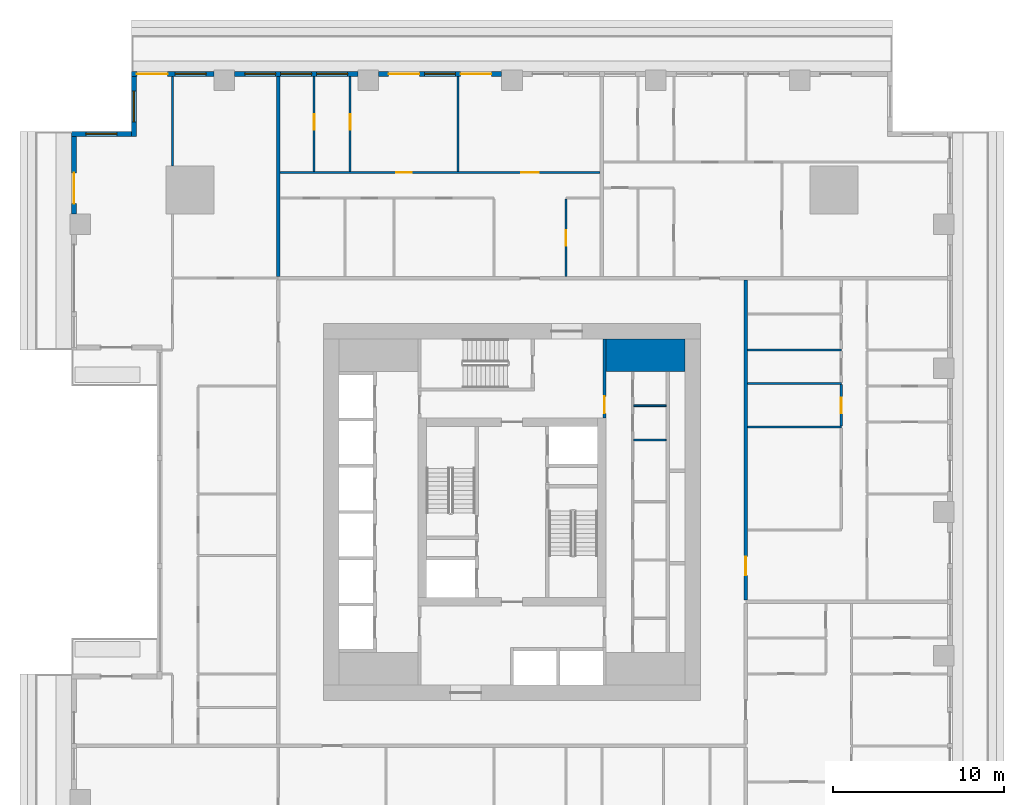
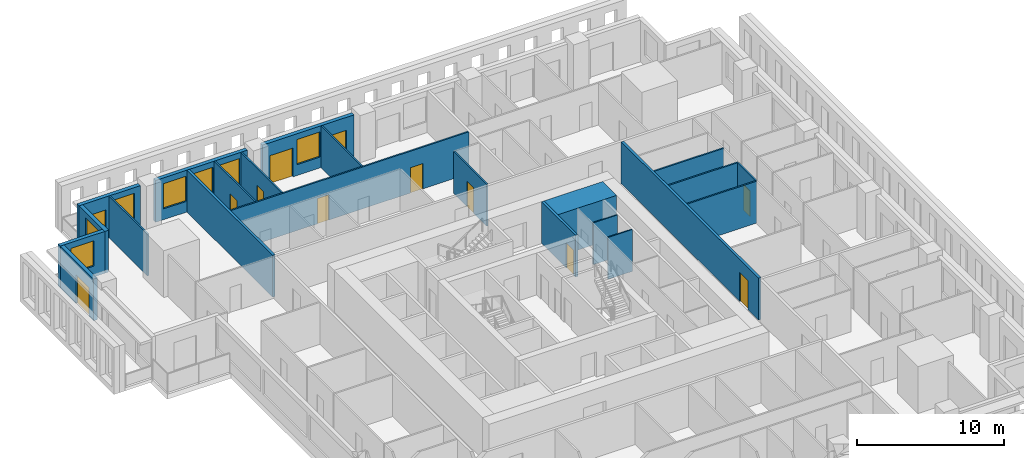
# One storey, part 7 of 14: 22 walls, 12 doors, 7 windows, 19 openings.
"""IFC4 building model written with IfcOpenShell, lengths in metres."""

from ifc_helpers import new_model, si_unit, direction, frame, frame_2d, origin, place, context, subcontext, project, spatial, rectangle, extrude, material, layer, layer_set, type_object, element, fill, save


model = new_model("IFC4")

# Units and contexts
model_context = context("Model", 3, precision=1e-05, world=origin(), true_north=direction((0.0, 1.0)))
body_context = subcontext(model_context, "Body", "Model", "MODEL_VIEW")
ifc_project = project(units=[si_unit("LENGTHUNIT", "METRE"), si_unit("AREAUNIT", "SQUARE_METRE"), si_unit("VOLUMEUNIT", "CUBIC_METRE"), si_unit("PLANEANGLEUNIT", "RADIAN"), si_unit("MASSUNIT", "GRAM", prefix="KILO")], contexts=[model_context])

# Site, building, storey
site_placement = place(None, origin())
site = spatial("IfcSite", under=ifc_project, at=site_placement, CompositionType="ELEMENT")
building_placement = place(site_placement, origin())
building = spatial("IfcBuilding", under=site, at=building_placement, Name="Khepri Terraces", CompositionType="ELEMENT")
storey_placement = place(building_placement, frame((0.0, 0.0, 102.60009765625)))
storey = spatial("IfcBuildingStorey", under=building, at=storey_placement, Name="L24", CompositionType="ELEMENT", Elevation=102.60009765625)

# Walls
ifc_material_1 = material(Name="Concrete C70/85", Category="concrete")
ifc_layer_1 = layer(ifc_material_1, 1.89990234375, Name="Concrete C70/85", Category="concrete")
ifc_layer_set_1 = layer_set([ifc_layer_1], Name="Concrete C70/85")
wall_type_1 = type_object("IfcWallType", Name="Core wall 1900 C70/85", PredefinedType="SHEAR", material=ifc_layer_set_1)
wall_1_placement = place(storey_placement, frame((5.5, 9.14990234375, 0.0), z_axis=(0.0, 0.0, 1.0), x_axis=(1.0, 0.0, 0.0)))
element("IfcWall", 1, at=wall_1_placement, inside=storey, type_object=wall_type_1, Name="Core wall PR04 L24", PredefinedType="SHEAR", context=body_context, shape_type="SweptSolid", body=[
    extrude(rectangle(XDim=4.60009765625, YDim=1.89990234375, at=frame_2d((2.300048828125, 0.0))), origin(), (0.0, 0.0, 1.0), 3.47998046875),
])
ifc_material_2 = material(Name="Fire-rated gypsum board partition")
ifc_layer_2 = layer(ifc_material_2, 0.10009765625, Name="Fire-rated gypsum board partition")
ifc_layer_set_2 = layer_set([ifc_layer_2], Name="Fire-rated gypsum board partition")
wall_type_2 = type_object("IfcWallType", Name="WL-CORE-PART-100", PredefinedType="PARTITIONING", material=ifc_layer_set_2)
for number, where, z_axis, x_axis, name in (
    (2, (7.10009765625, 4.199951171875, 0.0), (0.0, 0.0, 1.0), (1.0, 0.0, 0.0), "Core partition PT07 L24"),
    (3, (7.10009765625, 6.199951171875, 0.0), (0.0, 0.0, 1.0), (1.0, 0.0, 0.0), "Core partition PT10 L24"),
):
    element("IfcWall", number, at=place(storey_placement, frame(where, z_axis=z_axis, x_axis=x_axis)), inside=storey, type_object=wall_type_2, Name=name, PredefinedType="PARTITIONING", context=body_context, shape_type="SweptSolid", body=[
        extrude(rectangle(XDim=1.89990234375, YDim=0.10009765625, at=frame_2d((0.949951171875, 0.0))), origin(), (0.0, 0.0, 1.0), 3.47998046875),
    ])

# Wall, opening, door
ifc_layer_3 = layer(ifc_material_2, 0.199951171875, Name="Fire-rated gypsum board partition")
ifc_layer_set_3 = layer_set([ifc_layer_3], Name="Fire-rated gypsum board partition")
wall_type_3 = type_object("IfcWallType", Name="WL-CORE-PART-200", PredefinedType="PARTITIONING", material=ifc_layer_set_3)
wall_2_placement = place(storey_placement, frame((5.39990234375, 5.5, 0.0), z_axis=(0.0, 0.0, 1.0), x_axis=(0.0, 1.0, 0.0)))
wall_2 = element("IfcWall", 4, at=wall_2_placement, inside=storey, type_object=wall_type_3, Name="Core partition PT09 L24", PredefinedType="PARTITIONING", context=body_context, shape_type="SweptSolid", body=[
    extrude(rectangle(XDim=4.60009765625, YDim=0.199951171875, at=frame_2d((2.300048828125, 0.0))), origin(), (0.0, 0.0, 1.0), 3.47998046875),
])
opening_1_placement = place(wall_2_placement, frame((0.25, 0.0, 0.0)))
opening_1 = element("IfcOpeningElement", 5, at=opening_1_placement, cuts=wall_2, Name="Opening L24-C17", PredefinedType="OPENING", context=body_context, shape_type="SweptSolid", body=[
    extrude(rectangle(XDim=1.0, YDim=2.10009765625, at=frame_2d((0.5, 1.050048828125))), frame((0.0, 0.10986328125, 0.0), z_axis=(0.0, -1.0, 0.0), x_axis=(1.0, 0.0, 0.0)), (0.0, 0.0, 1.0), 0.219970703125),
])
ifc_material_3 = material(Name="Painted steel", Category="steel")
door_type_1 = type_object("IfcDoorType", Name="DR-CORE-LOBBY-1000", OperationType="NOTDEFINED", PredefinedType="DOOR", material=ifc_material_3)
door_1_placement = place(opening_1_placement, origin())
door_1 = element("IfcDoor", 6, at=door_1_placement, inside=storey, type_object=door_type_1, Name="Lobby door L24-C17", OperationType="SINGLE_SWING_LEFT", OverallHeight=2.10009765625, OverallWidth=1.0, PredefinedType="DOOR", context=body_context, shape_type="SweptSolid", body=[
    extrude(rectangle(XDim=1.0, YDim=2.10009765625, at=frame_2d((0.5, 1.050048828125))), frame((0.0, 0.02490234375, 0.0), z_axis=(0.0, -1.0, 0.0), x_axis=(1.0, 0.0, 0.0)), (0.0, 0.0, 1.0), 0.050048828125),
])
fill(opening_1, door_1)

ifc_material_4 = material(Name="Fire-rated gypsum plasterboard partition, mineral wool")
ifc_layer_4 = layer(ifc_material_4, 0.199951171875, Name="Fire-rated gypsum plasterboard partition, mineral wool")
ifc_layer_set_4 = layer_set([ifc_layer_4], Name="Fire-rated gypsum plasterboard partition, mineral wool")
wall_type_4 = type_object("IfcWallType", Name="WL-CORR-200", PredefinedType="PARTITIONING", material=ifc_layer_set_4)
wall_3_placement = place(storey_placement, frame((13.64990234375, -5.14990234375, 0.0), z_axis=(0.0, 0.0, 1.0), x_axis=(0.0, 1.0, 0.0)))
wall_3 = element("IfcWall", 7, at=wall_3_placement, inside=storey, type_object=wall_type_4, Name="Partition P-042 L24", PredefinedType="PARTITIONING", context=body_context, shape_type="SweptSolid", body=[
    extrude(rectangle(XDim=18.699951171875, YDim=0.199951171875, at=frame_2d((9.35009765625, 0.0))), origin(), (0.0, 0.0, 1.0), 3.47998046875),
])
opening_2_placement = place(wall_3_placement, frame((1.449951171875, 0.0, 0.0)))
opening_2 = element("IfcOpeningElement", 8, at=opening_2_placement, cuts=wall_3, Name="Opening D1", PredefinedType="OPENING", context=body_context, shape_type="SweptSolid", body=[
    extrude(rectangle(XDim=1.10009765625, YDim=2.39990234375, at=frame_2d((0.550048828125, 1.199951171875))), frame((0.0, 0.10986328125, 0.0), z_axis=(0.0, -1.0, 0.0), x_axis=(1.0, 0.0, 0.0)), (0.0, 0.0, 1.0), 0.219970703125),
])
ifc_material_5 = material(Name="Solid-core timber door leaf, flat entrance door", Category="wood")
door_type_2 = type_object("IfcDoorType", Name="DR-ENT-1100", OperationType="NOTDEFINED", PredefinedType="DOOR", material=ifc_material_5)
door_2_placement = place(opening_2_placement, frame((1.10009765625, 0.0, 0.0), z_axis=(0.0, 0.0, 1.0), x_axis=(-1.0, 0.0, 0.0)))
door_2 = element("IfcDoor", 9, at=door_2_placement, inside=storey, type_object=door_type_2, Name="Flat B2 entrance door", OperationType="SINGLE_SWING_RIGHT", OverallHeight=2.39990234375, OverallWidth=1.10009765625, PredefinedType="DOOR", context=body_context, shape_type="SweptSolid", body=[
    extrude(rectangle(XDim=1.10009765625, YDim=2.39990234375, at=frame_2d((0.550048828125, 1.199951171875))), frame((0.0, 0.02490234375, 0.0), z_axis=(0.0, -1.0, 0.0), x_axis=(1.0, 0.0, 0.0)), (0.0, 0.0, 1.0), 0.050048828125),
])
fill(opening_2, door_2)

# Wall
wall_4_placement = place(storey_placement, frame((-13.64990234375, 13.75, 0.0), z_axis=(0.0, 0.0, 1.0), x_axis=(0.0, 1.0, 0.0)))
element("IfcWall", 10, at=wall_4_placement, inside=storey, type_object=wall_type_4, Name="Partition P-072 L24", PredefinedType="PARTITIONING", context=body_context, shape_type="SweptSolid", body=[
    extrude(rectangle(XDim=11.669921875, YDim=0.199951171875, at=frame_2d((5.8349609375, 0.0))), origin(), (0.0, 0.0, 1.0), 3.47998046875),
])

# Wall, openings, doors, window
ifc_material_6 = material(Name="Precast concrete C50/60 warm stone", Category="masonry")
ifc_layer_5 = layer(ifc_material_6, 0.300048828125, Name="Precast concrete C50/60 warm stone", Category="masonry")
ifc_layer_set_5 = layer_set([ifc_layer_5], Name="Precast concrete C50/60 warm stone")
wall_type_5 = type_object("IfcWallType", Name="WL-EXT-PRECAST-300", PredefinedType="STANDARD", material=ifc_layer_set_5)
wall_5_placement = place(storey_placement, frame((-0.60009765625, 25.570068359375, 0.0), z_axis=(0.0, 0.0, 1.0), x_axis=(-1.0, 0.0, 0.0)))
wall_5 = element("IfcWall", 11, at=wall_5_placement, inside=storey, type_object=wall_type_5, Name="External wall L24 N", PredefinedType="STANDARD", context=body_context, shape_type="SweptSolid", body=[
    extrude(rectangle(XDim=7.199951171875, YDim=0.300048828125, at=frame_2d((3.60009765625, 0.0))), origin(), (0.0, 0.0, 1.0), 3.47998046875),
])
opening_3_placement = place(wall_5_placement, frame((0.60009765625, 0.0, 0.0)))
opening_3 = element("IfcOpeningElement", 12, at=opening_3_placement, cuts=wall_5, Name="Opening ED-L24-11", PredefinedType="OPENING", context=body_context, shape_type="SweptSolid", body=[
    extrude(rectangle(XDim=1.800048828125, YDim=2.39990234375, at=frame_2d((0.89990234375, 1.199951171875))), frame((0.0, 0.16015625, 0.0), z_axis=(0.0, -1.0, 0.0), x_axis=(1.0, 0.0, 0.0)), (0.0, 0.0, 1.0), 0.320068359375),
])
opening_4_placement = place(wall_5_placement, frame((2.699951171875, 0.0, 0.89990234375)))
opening_4 = element("IfcOpeningElement", 13, at=opening_4_placement, cuts=wall_5, Name="Opening W1", PredefinedType="OPENING", context=body_context, shape_type="SweptSolid", body=[
    extrude(rectangle(XDim=1.800048828125, YDim=2.10009765625, at=frame_2d((0.89990234375, 1.050048828125))), frame((0.0, 0.16015625, 0.0), z_axis=(0.0, -1.0, 0.0), x_axis=(1.0, 0.0, 0.0)), (0.0, 0.0, 1.0), 0.320068359375),
])
opening_5_placement = place(wall_5_placement, frame((4.800048828125, 0.0, 0.0)))
opening_5 = element("IfcOpeningElement", 14, at=opening_5_placement, cuts=wall_5, Name="Opening ED-L24-12", PredefinedType="OPENING", context=body_context, shape_type="SweptSolid", body=[
    extrude(rectangle(XDim=1.800048828125, YDim=2.39990234375, at=frame_2d((0.89990234375, 1.199951171875))), frame((0.0, 0.16015625, 0.0), z_axis=(0.0, -1.0, 0.0), x_axis=(1.0, 0.0, 0.0)), (0.0, 0.0, 1.0), 0.320068359375),
])
ifc_material_7 = material(Name="Anodised aluminium bronze glazed door", Category="aluminium")
door_type_3 = type_object("IfcDoorType", Name="DR-BAL-SLIDE-1800x2400", OperationType="NOTDEFINED", PredefinedType="DOOR", material=ifc_material_7)
door_3_placement = place(opening_3_placement, origin())
door_3 = element("IfcDoor", 15, at=door_3_placement, inside=storey, type_object=door_type_3, Name="Balcony door L24 N", OperationType="SLIDING_TO_LEFT", OverallHeight=2.39990234375, OverallWidth=1.800048828125, PredefinedType="DOOR", context=body_context, shape_type="SweptSolid", body=[
    extrude(rectangle(XDim=1.800048828125, YDim=2.39990234375, at=frame_2d((0.89990234375, 1.199951171875))), frame((0.0, 0.02490234375, 0.0), z_axis=(0.0, -1.0, 0.0), x_axis=(1.0, 0.0, 0.0)), (0.0, 0.0, 1.0), 0.050048828125),
])
fill(opening_3, door_3)
door_4_placement = place(opening_5_placement, origin())
door_4 = element("IfcDoor", 16, at=door_4_placement, inside=storey, type_object=door_type_3, Name="Balcony door L24 N", OperationType="SLIDING_TO_RIGHT", OverallHeight=2.39990234375, OverallWidth=1.800048828125, PredefinedType="DOOR", context=body_context, shape_type="SweptSolid", body=[
    extrude(rectangle(XDim=1.800048828125, YDim=2.39990234375, at=frame_2d((0.89990234375, 1.199951171875))), frame((0.0, 0.02490234375, 0.0), z_axis=(0.0, -1.0, 0.0), x_axis=(1.0, 0.0, 0.0)), (0.0, 0.0, 1.0), 0.050048828125),
])
fill(opening_5, door_4)
ifc_material_8 = material(Name="Clear glass", Category="glass")
window_type = type_object("IfcWindowType", Name="WIN-RES-1800x2100", PartitioningType="SINGLE_PANEL", PredefinedType="WINDOW", material=ifc_material_8)
window_1_placement = place(opening_4_placement, origin())
window_1 = element("IfcWindow", 17, at=window_1_placement, inside=storey, type_object=window_type, Name="Window L24 N", OverallHeight=2.10009765625, OverallWidth=1.800048828125, PartitioningType="SINGLE_PANEL", PredefinedType="WINDOW", context=body_context, shape_type="SweptSolid", body=[
    extrude(rectangle(XDim=1.800048828125, YDim=2.10009765625, at=frame_2d((0.89990234375, 1.050048828125))), frame((0.0, 0.030029296875, 0.0), z_axis=(0.0, -1.0, 0.0), x_axis=(1.0, 0.0, 0.0)), (0.0, 0.0, 1.0), 0.06005859375),
])
fill(opening_4, window_1)

# Wall, openings, windows
wall_6_placement = place(storey_placement, frame((-9.0, 25.570068359375, 0.0), z_axis=(0.0, 0.0, 1.0), x_axis=(-1.0, 0.0, 0.0)))
wall_6 = element("IfcWall", 18, at=wall_6_placement, inside=storey, type_object=wall_type_5, Name="External wall L24 N", PredefinedType="STANDARD", context=body_context, shape_type="SweptSolid", body=[
    extrude(rectangle(XDim=7.199951171875, YDim=0.300048828125, at=frame_2d((3.60009765625, 0.0))), origin(), (0.0, 0.0, 1.0), 3.47998046875),
])
opening_6_placement = place(wall_6_placement, frame((0.60009765625, 0.0, 0.89990234375)))
opening_6 = element("IfcOpeningElement", 19, at=opening_6_placement, cuts=wall_6, Name="Opening W1", PredefinedType="OPENING", context=body_context, shape_type="SweptSolid", body=[
    extrude(rectangle(XDim=1.800048828125, YDim=2.10009765625, at=frame_2d((0.89990234375, 1.050048828125))), frame((0.0, 0.16015625, 0.0), z_axis=(0.0, -1.0, 0.0), x_axis=(1.0, 0.0, 0.0)), (0.0, 0.0, 1.0), 0.320068359375),
])
opening_7_placement = place(wall_6_placement, frame((2.699951171875, 0.0, 0.89990234375)))
opening_7 = element("IfcOpeningElement", 20, at=opening_7_placement, cuts=wall_6, Name="Opening W1", PredefinedType="OPENING", context=body_context, shape_type="SweptSolid", body=[
    extrude(rectangle(XDim=1.800048828125, YDim=2.10009765625, at=frame_2d((0.89990234375, 1.050048828125))), frame((0.0, 0.16015625, 0.0), z_axis=(0.0, -1.0, 0.0), x_axis=(1.0, 0.0, 0.0)), (0.0, 0.0, 1.0), 0.320068359375),
])
opening_8_placement = place(wall_6_placement, frame((4.800048828125, 0.0, 0.89990234375)))
opening_8 = element("IfcOpeningElement", 21, at=opening_8_placement, cuts=wall_6, Name="Opening W1", PredefinedType="OPENING", context=body_context, shape_type="SweptSolid", body=[
    extrude(rectangle(XDim=1.800048828125, YDim=2.10009765625, at=frame_2d((0.89990234375, 1.050048828125))), frame((0.0, 0.16015625, 0.0), z_axis=(0.0, -1.0, 0.0), x_axis=(1.0, 0.0, 0.0)), (0.0, 0.0, 1.0), 0.320068359375),
])
window_2_placement = place(opening_6_placement, origin())
window_2 = element("IfcWindow", 22, at=window_2_placement, inside=storey, type_object=window_type, Name="Window L24 N", OverallHeight=2.10009765625, OverallWidth=1.800048828125, PartitioningType="SINGLE_PANEL", PredefinedType="WINDOW", context=body_context, shape_type="SweptSolid", body=[
    extrude(rectangle(XDim=1.800048828125, YDim=2.10009765625, at=frame_2d((0.89990234375, 1.050048828125))), frame((0.0, 0.030029296875, 0.0), z_axis=(0.0, -1.0, 0.0), x_axis=(1.0, 0.0, 0.0)), (0.0, 0.0, 1.0), 0.06005859375),
])
fill(opening_6, window_2)
window_3_placement = place(opening_7_placement, origin())
window_3 = element("IfcWindow", 23, at=window_3_placement, inside=storey, type_object=window_type, Name="Window L24 N", OverallHeight=2.10009765625, OverallWidth=1.800048828125, PartitioningType="SINGLE_PANEL", PredefinedType="WINDOW", context=body_context, shape_type="SweptSolid", body=[
    extrude(rectangle(XDim=1.800048828125, YDim=2.10009765625, at=frame_2d((0.89990234375, 1.050048828125))), frame((0.0, 0.030029296875, 0.0), z_axis=(0.0, -1.0, 0.0), x_axis=(1.0, 0.0, 0.0)), (0.0, 0.0, 1.0), 0.06005859375),
])
fill(opening_7, window_3)
window_4_placement = place(opening_8_placement, origin())
window_4 = element("IfcWindow", 24, at=window_4_placement, inside=storey, type_object=window_type, Name="Window L24 N", OverallHeight=2.10009765625, OverallWidth=1.800048828125, PartitioningType="SINGLE_PANEL", PredefinedType="WINDOW", context=body_context, shape_type="SweptSolid", body=[
    extrude(rectangle(XDim=1.800048828125, YDim=2.10009765625, at=frame_2d((0.89990234375, 1.050048828125))), frame((0.0, 0.030029296875, 0.0), z_axis=(0.0, -1.0, 0.0), x_axis=(1.0, 0.0, 0.0)), (0.0, 0.0, 1.0), 0.06005859375),
])
fill(opening_8, window_4)

# Wall, openings, door, window
wall_7_placement = place(storey_placement, frame((-17.39990234375, 25.570068359375, 0.0), z_axis=(0.0, 0.0, 1.0), x_axis=(-1.0, 0.0, 0.0)))
wall_7 = element("IfcWall", 25, at=wall_7_placement, inside=storey, type_object=wall_type_5, Name="External wall L24 N", PredefinedType="STANDARD", context=body_context, shape_type="SweptSolid", body=[
    extrude(rectangle(XDim=4.820068359375, YDim=0.300048828125, at=frame_2d((2.41015625, 0.0))), origin(), (0.0, 0.0, 1.0), 3.47998046875),
])
opening_9_placement = place(wall_7_placement, frame((2.699951171875, 0.0, 0.0)))
opening_9 = element("IfcOpeningElement", 26, at=opening_9_placement, cuts=wall_7, Name="Opening ED-L24-13", PredefinedType="OPENING", context=body_context, shape_type="SweptSolid", body=[
    extrude(rectangle(XDim=1.800048828125, YDim=2.39990234375, at=frame_2d((0.89990234375, 1.199951171875))), frame((0.0, 0.16015625, 0.0), z_axis=(0.0, -1.0, 0.0), x_axis=(1.0, 0.0, 0.0)), (0.0, 0.0, 1.0), 0.320068359375),
])
opening_10_placement = place(wall_7_placement, frame((0.4599609375, 0.0, 0.89990234375)))
opening_10 = element("IfcOpeningElement", 27, at=opening_10_placement, cuts=wall_7, Name="Opening W1", PredefinedType="OPENING", context=body_context, shape_type="SweptSolid", body=[
    extrude(rectangle(XDim=1.800048828125, YDim=2.10009765625, at=frame_2d((0.89990234375, 1.050048828125))), frame((0.0, 0.16015625, 0.0), z_axis=(0.0, -1.0, 0.0), x_axis=(1.0, 0.0, 0.0)), (0.0, 0.0, 1.0), 0.320068359375),
])
door_5_placement = place(opening_9_placement, origin())
door_5 = element("IfcDoor", 28, at=door_5_placement, inside=storey, type_object=door_type_3, Name="Balcony door L24 N", OperationType="SLIDING_TO_LEFT", OverallHeight=2.39990234375, OverallWidth=1.800048828125, PredefinedType="DOOR", context=body_context, shape_type="SweptSolid", body=[
    extrude(rectangle(XDim=1.800048828125, YDim=2.39990234375, at=frame_2d((0.89990234375, 1.199951171875))), frame((0.0, 0.02490234375, 0.0), z_axis=(0.0, -1.0, 0.0), x_axis=(1.0, 0.0, 0.0)), (0.0, 0.0, 1.0), 0.050048828125),
])
fill(opening_9, door_5)
window_5_placement = place(opening_10_placement, origin())
window_5 = element("IfcWindow", 29, at=window_5_placement, inside=storey, type_object=window_type, Name="Window L24 N", OverallHeight=2.10009765625, OverallWidth=1.800048828125, PartitioningType="SINGLE_PANEL", PredefinedType="WINDOW", context=body_context, shape_type="SweptSolid", body=[
    extrude(rectangle(XDim=1.800048828125, YDim=2.10009765625, at=frame_2d((0.89990234375, 1.050048828125))), frame((0.0, 0.030029296875, 0.0), z_axis=(0.0, -1.0, 0.0), x_axis=(1.0, 0.0, 0.0)), (0.0, 0.0, 1.0), 0.06005859375),
])
fill(opening_10, window_5)

# Wall, opening, window
wall_8_placement = place(storey_placement, frame((-22.070068359375, 25.419921875, 0.0), z_axis=(0.0, 0.0, 1.0), x_axis=(0.0, -1.0, 0.0)))
wall_8 = element("IfcWall", 30, at=wall_8_placement, inside=storey, type_object=wall_type_5, Name="External wall L24 W", PredefinedType="STANDARD", context=body_context, shape_type="SweptSolid", body=[
    extrude(rectangle(XDim=3.5, YDim=0.300048828125, at=frame_2d((1.75, 0.0))), origin(), (0.0, 0.0, 1.0), 3.47998046875),
])
opening_11_placement = place(wall_8_placement, frame((0.85009765625, 0.0, 0.89990234375)))
opening_11 = element("IfcOpeningElement", 31, at=opening_11_placement, cuts=wall_8, Name="Opening W1", PredefinedType="OPENING", context=body_context, shape_type="SweptSolid", body=[
    extrude(rectangle(XDim=1.800048828125, YDim=2.10009765625, at=frame_2d((0.89990234375, 1.050048828125))), frame((0.0, 0.16015625, 0.0), z_axis=(0.0, -1.0, 0.0), x_axis=(1.0, 0.0, 0.0)), (0.0, 0.0, 1.0), 0.320068359375),
])
window_6_placement = place(opening_11_placement, origin())
window_6 = element("IfcWindow", 32, at=window_6_placement, inside=storey, type_object=window_type, Name="Window L24 W", OverallHeight=2.10009765625, OverallWidth=1.800048828125, PartitioningType="SINGLE_PANEL", PredefinedType="WINDOW", context=body_context, shape_type="SweptSolid", body=[
    extrude(rectangle(XDim=1.800048828125, YDim=2.10009765625, at=frame_2d((0.89990234375, 1.050048828125))), frame((0.0, 0.030029296875, 0.0), z_axis=(0.0, -1.0, 0.0), x_axis=(1.0, 0.0, 0.0)), (0.0, 0.0, 1.0), 0.06005859375),
])
fill(opening_11, window_6)

wall_9_placement = place(storey_placement, frame((-22.219970703125, 22.070068359375, 0.0), z_axis=(0.0, 0.0, 1.0), x_axis=(-1.0, 0.0, 0.0)))
wall_9 = element("IfcWall", 33, at=wall_9_placement, inside=storey, type_object=wall_type_5, Name="External wall L24 N", PredefinedType="STANDARD", context=body_context, shape_type="SweptSolid", body=[
    extrude(rectangle(XDim=3.5, YDim=0.300048828125, at=frame_2d((1.75, 0.0))), origin(), (0.0, 0.0, 1.0), 3.47998046875),
])
opening_12_placement = place(wall_9_placement, frame((0.85009765625, 0.0, 0.89990234375)))
opening_12 = element("IfcOpeningElement", 34, at=opening_12_placement, cuts=wall_9, Name="Opening W1", PredefinedType="OPENING", context=body_context, shape_type="SweptSolid", body=[
    extrude(rectangle(XDim=1.800048828125, YDim=2.10009765625, at=frame_2d((0.89990234375, 1.050048828125))), frame((0.0, 0.16015625, 0.0), z_axis=(0.0, -1.0, 0.0), x_axis=(1.0, 0.0, 0.0)), (0.0, 0.0, 1.0), 0.320068359375),
])
window_7_placement = place(opening_12_placement, origin())
window_7 = element("IfcWindow", 35, at=window_7_placement, inside=storey, type_object=window_type, Name="Window L24 N", OverallHeight=2.10009765625, OverallWidth=1.800048828125, PartitioningType="SINGLE_PANEL", PredefinedType="WINDOW", context=body_context, shape_type="SweptSolid", body=[
    extrude(rectangle(XDim=1.800048828125, YDim=2.10009765625, at=frame_2d((0.89990234375, 1.050048828125))), frame((0.0, 0.030029296875, 0.0), z_axis=(0.0, -1.0, 0.0), x_axis=(1.0, 0.0, 0.0)), (0.0, 0.0, 1.0), 0.06005859375),
])
fill(opening_12, window_7)

# Wall, opening, door
wall_10_placement = place(storey_placement, frame((-25.570068359375, 21.919921875, 0.0), z_axis=(0.0, 0.0, 1.0), x_axis=(0.0, -1.0, 0.0)))
wall_10 = element("IfcWall", 36, at=wall_10_placement, inside=storey, type_object=wall_type_5, Name="External wall L24 W", PredefinedType="STANDARD", context=body_context, shape_type="SweptSolid", body=[
    extrude(rectangle(XDim=4.52001953125, YDim=0.300048828125, at=frame_2d((2.260009765625, 0.0))), origin(), (0.0, 0.0, 1.0), 3.47998046875),
])
opening_13_placement = place(wall_10_placement, frame((2.1201171875, 0.0, 0.0)))
opening_13 = element("IfcOpeningElement", 37, at=opening_13_placement, cuts=wall_10, Name="Opening ED-L24-14", PredefinedType="OPENING", context=body_context, shape_type="SweptSolid", body=[
    extrude(rectangle(XDim=1.800048828125, YDim=2.39990234375, at=frame_2d((0.89990234375, 1.199951171875))), frame((0.0, 0.16015625, 0.0), z_axis=(0.0, -1.0, 0.0), x_axis=(1.0, 0.0, 0.0)), (0.0, 0.0, 1.0), 0.320068359375),
])
door_6_placement = place(opening_13_placement, origin())
door_6 = element("IfcDoor", 38, at=door_6_placement, inside=storey, type_object=door_type_3, Name="Balcony door L24 W", OperationType="SLIDING_TO_RIGHT", OverallHeight=2.39990234375, OverallWidth=1.800048828125, PredefinedType="DOOR", context=body_context, shape_type="SweptSolid", body=[
    extrude(rectangle(XDim=1.800048828125, YDim=2.39990234375, at=frame_2d((0.89990234375, 1.199951171875))), frame((0.0, 0.02490234375, 0.0), z_axis=(0.0, -1.0, 0.0), x_axis=(1.0, 0.0, 0.0)), (0.0, 0.0, 1.0), 0.050048828125),
])
fill(opening_13, door_6)

# Wall
ifc_material_9 = material(Name="Gypsum plasterboard partition")
ifc_layer_6 = layer(ifc_material_9, 0.1201171875, Name="Gypsum plasterboard partition")
ifc_layer_set_6 = layer_set([ifc_layer_6], Name="Gypsum plasterboard partition")
wall_type_6 = type_object("IfcWallType", Name="WL-PART-120", PredefinedType="PARTITIONING", material=ifc_layer_set_6)
wall_11_placement = place(storey_placement, frame((13.75, 4.949951171875, 0.0), z_axis=(0.0, 0.0, 1.0), x_axis=(1.0, 0.0, 0.0)))
element("IfcWall", 39, at=wall_11_placement, inside=storey, type_object=wall_type_6, Name="Partition P-052 L24", PredefinedType="PARTITIONING", context=body_context, shape_type="SweptSolid", body=[
    extrude(rectangle(XDim=5.469970703125, YDim=0.1201171875, at=frame_2d((2.73486328125, 0.0))), origin(), (0.0, 0.0, 1.0), 3.47998046875),
])

# Wall, opening, door
wall_12_placement = place(storey_placement, frame((19.219970703125, 5.010009765625, 0.0), z_axis=(0.0, 0.0, 1.0), x_axis=(0.0, 1.0, 0.0)))
wall_12 = element("IfcWall", 40, at=wall_12_placement, inside=storey, type_object=wall_type_6, Name="Partition P-053 L24", PredefinedType="PARTITIONING", context=body_context, shape_type="SweptSolid", body=[
    extrude(rectangle(XDim=2.429931640625, YDim=0.1201171875, at=frame_2d((1.21484375, 0.0))), origin(), (0.0, 0.0, 1.0), 3.47998046875),
])
opening_14_placement = place(wall_12_placement, frame((0.764892578125, 0.0, 0.0)))
opening_14 = element("IfcOpeningElement", 41, at=opening_14_placement, cuts=wall_12, Name="Opening D3", PredefinedType="OPENING", context=body_context, shape_type="SweptSolid", body=[
    extrude(rectangle(XDim=0.89990234375, YDim=2.10009765625, at=frame_2d((0.449951171875, 1.050048828125))), frame((0.0, 0.070068359375, 0.0), z_axis=(0.0, -1.0, 0.0), x_axis=(1.0, 0.0, 0.0)), (0.0, 0.0, 1.0), 0.14013671875),
])
ifc_material_10 = material(Name="Timber door leaf", Category="wood")
door_type_4 = type_object("IfcDoorType", Name="DR-INT-900", OperationType="NOTDEFINED", PredefinedType="DOOR", material=ifc_material_10)
door_7_placement = place(opening_14_placement, origin())
door_7 = element("IfcDoor", 42, at=door_7_placement, inside=storey, type_object=door_type_4, Name="Door Service Store", OperationType="SINGLE_SWING_LEFT", OverallHeight=2.10009765625, OverallWidth=0.89990234375, PredefinedType="DOOR", context=body_context, shape_type="SweptSolid", body=[
    extrude(rectangle(XDim=0.89990234375, YDim=2.10009765625, at=frame_2d((0.449951171875, 1.050048828125))), frame((0.0, 0.02490234375, 0.0), z_axis=(0.0, -1.0, 0.0), x_axis=(1.0, 0.0, 0.0)), (0.0, 0.0, 1.0), 0.050048828125),
])
fill(opening_14, door_7)

# Walls
for number, where, z_axis, x_axis, name in (
    (43, (13.75, 7.5, 0.0), (0.0, 0.0, 1.0), (1.0, 0.0, 0.0), "Partition P-059 L24"),
    (44, (13.75, 9.449951171875, 0.0), (0.0, 0.0, 1.0), (1.0, 0.0, 0.0), "Partition P-062 L24"),
):
    element("IfcWall", number, at=place(storey_placement, frame(where, z_axis=z_axis, x_axis=x_axis)), inside=storey, type_object=wall_type_6, Name=name, PredefinedType="PARTITIONING", context=body_context, shape_type="SweptSolid", body=[
        extrude(rectangle(XDim=5.469970703125, YDim=0.1201171875, at=frame_2d((2.73486328125, 0.0))), origin(), (0.0, 0.0, 1.0), 3.47998046875),
    ])

# Wall, opening, door
wall_13_placement = place(storey_placement, frame((3.14990234375, 13.75, 0.0), z_axis=(0.0, 0.0, 1.0), x_axis=(0.0, 1.0, 0.0)))
wall_13 = element("IfcWall", 45, at=wall_13_placement, inside=storey, type_object=wall_type_6, Name="Partition P-076 L24", PredefinedType="PARTITIONING", context=body_context, shape_type="SweptSolid", body=[
    extrude(rectangle(XDim=4.510009765625, YDim=0.1201171875, at=frame_2d((2.2548828125, 0.0))), origin(), (0.0, 0.0, 1.0), 3.47998046875),
])
opening_15_placement = place(wall_13_placement, frame((1.784912109375, 0.0, 0.0)))
opening_15 = element("IfcOpeningElement", 46, at=opening_15_placement, cuts=wall_13, Name="Opening D4", PredefinedType="OPENING", context=body_context, shape_type="SweptSolid", body=[
    extrude(rectangle(XDim=0.89990234375, YDim=2.10009765625, at=frame_2d((0.449951171875, 1.050048828125))), frame((0.0, 0.070068359375, 0.0), z_axis=(0.0, -1.0, 0.0), x_axis=(1.0, 0.0, 0.0)), (0.0, 0.0, 1.0), 0.14013671875),
])
ifc_material_11 = material(Name="Timber door leaf, moisture resistant", Category="wood")
door_type_5 = type_object("IfcDoorType", Name="DR-WET-900", OperationType="NOTDEFINED", PredefinedType="DOOR", material=ifc_material_11)
door_8_placement = place(opening_15_placement, frame((0.89990234375, 0.0, 0.0), z_axis=(0.0, 0.0, 1.0), x_axis=(-1.0, 0.0, 0.0)))
door_8 = element("IfcDoor", 47, at=door_8_placement, inside=storey, type_object=door_type_5, Name="Door Guest Bathroom", OperationType="SINGLE_SWING_RIGHT", OverallHeight=2.10009765625, OverallWidth=0.89990234375, PredefinedType="DOOR", context=body_context, shape_type="SweptSolid", body=[
    extrude(rectangle(XDim=0.89990234375, YDim=2.10009765625, at=frame_2d((0.449951171875, 1.050048828125))), frame((0.0, 0.02490234375, 0.0), z_axis=(0.0, -1.0, 0.0), x_axis=(1.0, 0.0, 0.0)), (0.0, 0.0, 1.0), 0.050048828125),
])
fill(opening_15, door_8)

# Wall, openings, doors
wall_14_placement = place(storey_placement, frame((-13.550048828125, 19.820068359375, 0.0), z_axis=(0.0, 0.0, 1.0), x_axis=(1.0, 0.0, 0.0)))
wall_14 = element("IfcWall", 48, at=wall_14_placement, inside=storey, type_object=wall_type_6, Name="Partition P-084 L24", PredefinedType="PARTITIONING", context=body_context, shape_type="SweptSolid", body=[
    extrude(rectangle(XDim=18.699951171875, YDim=0.1201171875, at=frame_2d((9.35009765625, 0.0))), origin(), (0.0, 0.0, 1.0), 3.47998046875),
])
opening_16_placement = place(wall_14_placement, frame((14.10009765625, 0.0, 0.0)))
opening_16 = element("IfcOpeningElement", 49, at=opening_16_placement, cuts=wall_14, Name="Opening D2", PredefinedType="OPENING", context=body_context, shape_type="SweptSolid", body=[
    extrude(rectangle(XDim=1.0, YDim=2.10009765625, at=frame_2d((0.5, 1.050048828125))), frame((0.0, 0.070068359375, 0.0), z_axis=(0.0, -1.0, 0.0), x_axis=(1.0, 0.0, 0.0)), (0.0, 0.0, 1.0), 0.14013671875),
])
opening_17_placement = place(wall_14_placement, frame((6.800048828125, 0.0, 0.0)))
opening_17 = element("IfcOpeningElement", 50, at=opening_17_placement, cuts=wall_14, Name="Opening D3", PredefinedType="OPENING", context=body_context, shape_type="SweptSolid", body=[
    extrude(rectangle(XDim=0.89990234375, YDim=2.10009765625, at=frame_2d((0.449951171875, 1.050048828125))), frame((0.0, 0.070068359375, 0.0), z_axis=(0.0, -1.0, 0.0), x_axis=(1.0, 0.0, 0.0)), (0.0, 0.0, 1.0), 0.14013671875),
])
ifc_material_12 = material(Name="Timber door leaf, living room door", Category="wood")
door_type_6 = type_object("IfcDoorType", Name="DR-INT-1000", OperationType="NOTDEFINED", PredefinedType="DOOR", material=ifc_material_12)
door_9_placement = place(opening_16_placement, origin())
door_9 = element("IfcDoor", 51, at=door_9_placement, inside=storey, type_object=door_type_6, Name="Door Living Room", OperationType="SINGLE_SWING_RIGHT", OverallHeight=2.10009765625, OverallWidth=1.0, PredefinedType="DOOR", context=body_context, shape_type="SweptSolid", body=[
    extrude(rectangle(XDim=1.0, YDim=2.10009765625, at=frame_2d((0.5, 1.050048828125))), frame((0.0, 0.02490234375, 0.0), z_axis=(0.0, -1.0, 0.0), x_axis=(1.0, 0.0, 0.0)), (0.0, 0.0, 1.0), 0.050048828125),
])
fill(opening_16, door_9)
door_10_placement = place(opening_17_placement, origin())
door_10 = element("IfcDoor", 52, at=door_10_placement, inside=storey, type_object=door_type_4, Name="Door Master Bedroom", OperationType="SINGLE_SWING_LEFT", OverallHeight=2.10009765625, OverallWidth=0.89990234375, PredefinedType="DOOR", context=body_context, shape_type="SweptSolid", body=[
    extrude(rectangle(XDim=0.89990234375, YDim=2.10009765625, at=frame_2d((0.449951171875, 1.050048828125))), frame((0.0, 0.02490234375, 0.0), z_axis=(0.0, -1.0, 0.0), x_axis=(1.0, 0.0, 0.0)), (0.0, 0.0, 1.0), 0.050048828125),
])
fill(opening_17, door_10)

# Wall, opening, door
wall_15_placement = place(storey_placement, frame((-11.550048828125, 19.8798828125, 0.0), z_axis=(0.0, 0.0, 1.0), x_axis=(0.0, 1.0, 0.0)))
wall_15 = element("IfcWall", 53, at=wall_15_placement, inside=storey, type_object=wall_type_6, Name="Partition P-085 L24", PredefinedType="PARTITIONING", context=body_context, shape_type="SweptSolid", body=[
    extrude(rectangle(XDim=5.5400390625, YDim=0.1201171875, at=frame_2d((2.77001953125, 0.0))), origin(), (0.0, 0.0, 1.0), 3.47998046875),
])
opening_18_placement = place(wall_15_placement, frame((2.43994140625, 0.0, 0.0)))
opening_18 = element("IfcOpeningElement", 54, at=opening_18_placement, cuts=wall_15, Name="Opening D4", PredefinedType="OPENING", context=body_context, shape_type="SweptSolid", body=[
    extrude(rectangle(XDim=0.89990234375, YDim=2.10009765625, at=frame_2d((0.449951171875, 1.050048828125))), frame((0.0, 0.070068359375, 0.0), z_axis=(0.0, -1.0, 0.0), x_axis=(1.0, 0.0, 0.0)), (0.0, 0.0, 1.0), 0.14013671875),
])
door_11_placement = place(opening_18_placement, origin())
door_11 = element("IfcDoor", 55, at=door_11_placement, inside=storey, type_object=door_type_5, Name="Door Bathroom", OperationType="SINGLE_SWING_RIGHT", OverallHeight=2.10009765625, OverallWidth=0.89990234375, PredefinedType="DOOR", context=body_context, shape_type="SweptSolid", body=[
    extrude(rectangle(XDim=0.89990234375, YDim=2.10009765625, at=frame_2d((0.449951171875, 1.050048828125))), frame((0.0, 0.02490234375, 0.0), z_axis=(0.0, -1.0, 0.0), x_axis=(1.0, 0.0, 0.0)), (0.0, 0.0, 1.0), 0.050048828125),
])
fill(opening_18, door_11)

wall_16_placement = place(storey_placement, frame((-9.449951171875, 19.8798828125, 0.0), z_axis=(0.0, 0.0, 1.0), x_axis=(0.0, 1.0, 0.0)))
wall_16 = element("IfcWall", 56, at=wall_16_placement, inside=storey, type_object=wall_type_6, Name="Partition P-086 L24", PredefinedType="PARTITIONING", context=body_context, shape_type="SweptSolid", body=[
    extrude(rectangle(XDim=5.5400390625, YDim=0.1201171875, at=frame_2d((2.77001953125, 0.0))), origin(), (0.0, 0.0, 1.0), 3.47998046875),
])
opening_19_placement = place(wall_16_placement, frame((2.43994140625, 0.0, 0.0)))
opening_19 = element("IfcOpeningElement", 57, at=opening_19_placement, cuts=wall_16, Name="Opening D3", PredefinedType="OPENING", context=body_context, shape_type="SweptSolid", body=[
    extrude(rectangle(XDim=0.89990234375, YDim=2.10009765625, at=frame_2d((0.449951171875, 1.050048828125))), frame((0.0, 0.070068359375, 0.0), z_axis=(0.0, -1.0, 0.0), x_axis=(1.0, 0.0, 0.0)), (0.0, 0.0, 1.0), 0.14013671875),
])
door_12_placement = place(opening_19_placement, origin())
door_12 = element("IfcDoor", 58, at=door_12_placement, inside=storey, type_object=door_type_4, Name="Door Dressing Room", OperationType="SINGLE_SWING_RIGHT", OverallHeight=2.10009765625, OverallWidth=0.89990234375, PredefinedType="DOOR", context=body_context, shape_type="SweptSolid", body=[
    extrude(rectangle(XDim=0.89990234375, YDim=2.10009765625, at=frame_2d((0.449951171875, 1.050048828125))), frame((0.0, 0.02490234375, 0.0), z_axis=(0.0, -1.0, 0.0), x_axis=(1.0, 0.0, 0.0)), (0.0, 0.0, 1.0), 0.050048828125),
])
fill(opening_19, door_12)

# Walls
wall_17_placement = place(storey_placement, frame((-3.14990234375, 19.8798828125, 0.0), z_axis=(0.0, 0.0, 1.0), x_axis=(0.0, 1.0, 0.0)))
element("IfcWall", 59, at=wall_17_placement, inside=storey, type_object=wall_type_6, Name="Partition P-087 L24", PredefinedType="PARTITIONING", context=body_context, shape_type="SweptSolid", body=[
    extrude(rectangle(XDim=5.5400390625, YDim=0.1201171875, at=frame_2d((2.77001953125, 0.0))), origin(), (0.0, 0.0, 1.0), 3.47998046875),
])
wall_18_placement = place(storey_placement, frame((-19.820068359375, 20.199951171875, 0.0), z_axis=(0.0, 0.0, 1.0), x_axis=(0.0, 1.0, 0.0)))
element("IfcWall", 60, at=wall_18_placement, inside=storey, type_object=wall_type_6, Name="Partition P-088 L24", PredefinedType="PARTITIONING", context=body_context, shape_type="SweptSolid", body=[
    extrude(rectangle(XDim=5.219970703125, YDim=0.1201171875, at=frame_2d((2.60986328125, 0.0))), origin(), (0.0, 0.0, 1.0), 3.47998046875),
])

save(model, "model.ifc")
